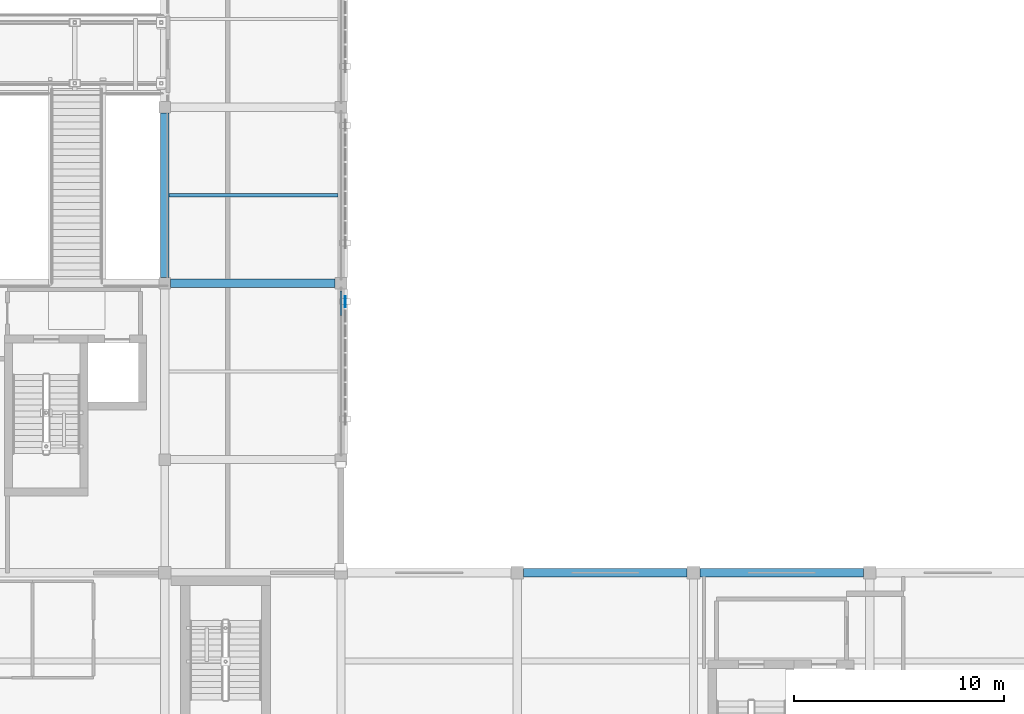
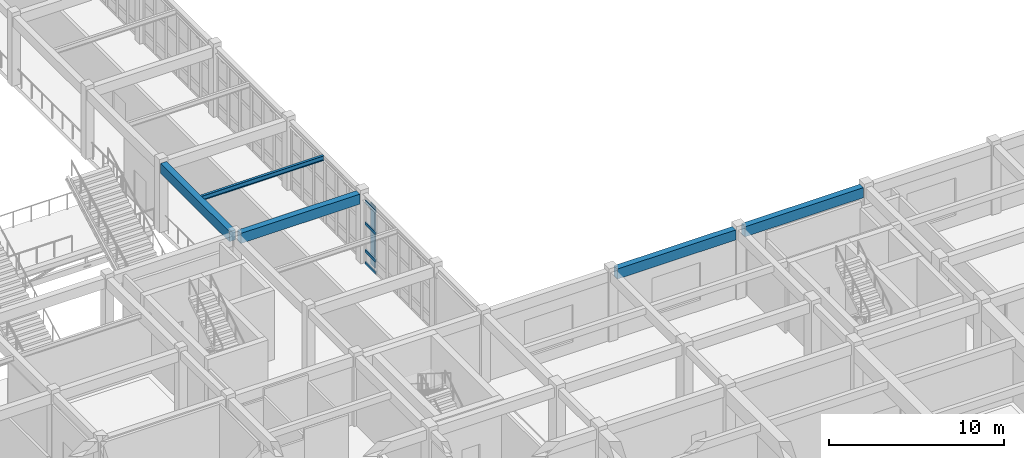
# One storey, part 21 of 93: 5 beams, 5 members, 1 element without a shape of its own.
"""IFC4 building model written with IfcOpenShell, lengths in metres."""

from ifc_helpers import new_model, si_unit, direction, frame, origin, origin_2d, place, context, subcontext, project, spatial, rectangle, hollow_rectangle, i_section, extrude, material, layer, layer_set, material_profile, profile_set, type_object, element, aggregate, save


model = new_model("IFC4")

# Units and contexts
model_context = context("Model", 3, precision=1e-05, world=origin(), true_north=direction((0.0, 1.0)))
body_context = subcontext(model_context, "Body", "Model", "MODEL_VIEW")
ifc_project = project(units=[si_unit("LENGTHUNIT", "METRE"), si_unit("AREAUNIT", "SQUARE_METRE"), si_unit("VOLUMEUNIT", "CUBIC_METRE"), si_unit("PLANEANGLEUNIT", "RADIAN"), si_unit("MASSUNIT", "GRAM", prefix="KILO")], contexts=[model_context])

# Site, building, storey
site_placement = place(None, origin())
site = spatial("IfcSite", under=ifc_project, at=site_placement, CompositionType="ELEMENT")
building_placement = place(site_placement, origin())
building = spatial("IfcBuilding", under=site, at=building_placement, Name="Krzemoval Escarpment Law Courts", CompositionType="ELEMENT")
storey_placement = place(building_placement, frame((0.0, 0.0, 10.199951171875)))
storey = spatial("IfcBuildingStorey", under=building, at=storey_placement, Name="L02", CompositionType="ELEMENT", Elevation=10.199951171875)

# Beams
ifc_material_1 = material(Name="Concrete C40/50", Category="concrete")
ifc_material_profile_1 = material_profile(ifc_material_1, rectangle(XDim=0.39990234375, YDim=0.699951171875, at=origin_2d()), Name="RCB 400x700")
ifc_profile_set_1 = profile_set([ifc_material_profile_1], Name="Concrete C40/50")
beam_type_1 = type_object("IfcBeamType", Name="BM-RC-400x700", PredefinedType="BEAM", material=ifc_profile_set_1)
beam_1_placement = place(storey_placement, frame((50.699951171875, 35.39990234375, 4.469970703125), z_axis=(1.0, 0.0, 0.0), x_axis=(0.0, 1.0, 0.0)))
element("IfcBeam", 1, at=beam_1_placement, inside=storey, type_object=beam_type_1, Name="Beam FG-L02-1773", PredefinedType="BEAM", context=body_context, shape_type="SweptSolid", body=[
    extrude(rectangle(XDim=0.39990234375, YDim=0.699951171875, at=origin_2d()), origin(), (0.0, 0.0, 1.0), 7.800048828125),
])
beam_2_placement = place(storey_placement, frame((59.10009765625, 35.39990234375, 4.469970703125), z_axis=(1.0, 0.0, 0.0), x_axis=(0.0, 1.0, 0.0)))
element("IfcBeam", 2, at=beam_2_placement, inside=storey, type_object=beam_type_1, Name="Beam FG-L02-1774", PredefinedType="BEAM", context=body_context, shape_type="SweptSolid", body=[
    extrude(rectangle(XDim=0.39990234375, YDim=0.699951171875, at=origin_2d()), origin(), (0.0, 0.0, 1.0), 7.7998046875),
])
beam_3_placement = place(storey_placement, frame((33.875, 49.199951171875, 4.469970703125), z_axis=(1.0, 0.0, 0.0), x_axis=(0.0, 1.0, 0.0)))
element("IfcBeam", 3, at=beam_3_placement, inside=storey, type_object=beam_type_1, Name="Beam FG-L02-1791", PredefinedType="BEAM", context=body_context, shape_type="SweptSolid", body=[
    extrude(rectangle(XDim=0.39990234375, YDim=0.699951171875, at=origin_2d()), origin(), (0.0, 0.0, 1.0), 7.85009765625),
])
beam_4_placement = place(storey_placement, frame((33.60009765625, 49.47509765625, 4.469970703125), z_axis=(0.0, 1.0, 0.0), x_axis=(-1.0, 0.0, 0.0)))
element("IfcBeam", 4, at=beam_4_placement, inside=storey, type_object=beam_type_1, Name="Beam FG-L02-1896", PredefinedType="BEAM", context=body_context, shape_type="SweptSolid", body=[
    extrude(rectangle(XDim=0.39990234375, YDim=0.699951171875, at=origin_2d()), origin(), (0.0, 0.0, 1.0), 7.849853515625),
])

# Curtain wall, members
ifc_material_2 = material(Name="Aluminium 6063-T6", Category="aluminium")
ifc_layer = layer(ifc_material_2, 0.280029296875)
ifc_layer_set = layer_set([ifc_layer], Name="Aluminium 6063-T6")
curtain_wall_type = type_object("IfcCurtainWallType", Name="CW-HALL-5100", PredefinedType="USERDEFINED", material=ifc_layer_set)
curtain_wall_placement = place(storey_placement, origin())
curtain_wall = element("IfcCurtainWall", 5, at=curtain_wall_placement, inside=storey, type_object=curtain_wall_type, Name="Unitised Curtain Wall FCW-L02-080", ObjectType="UNITISED_CURTAIN_WALL", PredefinedType="USERDEFINED")
ifc_material_3 = material(Name="Aluminium 6063-T6", Category="aluminium")
ifc_material_profile_2 = material_profile(ifc_material_3, hollow_rectangle(XDim=0.0849609375, YDim=0.2099609375, WallThickness=0.005615234375, at=origin_2d()), Name="ALU T85x210")
ifc_profile_set_2 = profile_set([ifc_material_profile_2], Name="Aluminium 6063-T6")
member_type_1 = type_object("IfcMemberType", Name="CWT-85x210", PredefinedType="USERDEFINED", material=ifc_profile_set_2)
member_1_placement = place(storey_placement, frame((42.0, 48.840087890625, 0.04248046875), z_axis=(0.0, -1.0, 0.0), x_axis=(1.0, 0.0, 0.0)))
member_1 = element("IfcMember", 6, at=member_1_placement, type_object=member_type_1, Name="FCW-L02-080 transom 1.1", ObjectType="TRANSOM", PredefinedType="USERDEFINED", context=body_context, shape_type="SweptSolid", body=[
    extrude(hollow_rectangle(XDim=0.0849609375, YDim=0.2099609375, WallThickness=0.005615234375, at=origin_2d()), origin(), (0.0, 0.0, 1.0), 1.180908203125),
])
member_2_placement = place(storey_placement, frame((42.0, 48.840087890625, 0.900146484375), z_axis=(0.0, -1.0, 0.0), x_axis=(1.0, 0.0, 0.0)))
member_2 = element("IfcMember", 7, at=member_2_placement, type_object=member_type_1, Name="FCW-L02-080 transom 1.2", ObjectType="TRANSOM", PredefinedType="USERDEFINED", context=body_context, shape_type="SweptSolid", body=[
    extrude(hollow_rectangle(XDim=0.0849609375, YDim=0.2099609375, WallThickness=0.005615234375, at=origin_2d()), origin(), (0.0, 0.0, 1.0), 1.180908203125),
])
member_3_placement = place(storey_placement, frame((42.0, 48.840087890625, 2.800048828125), z_axis=(0.0, -1.0, 0.0), x_axis=(1.0, 0.0, 0.0)))
member_3 = element("IfcMember", 8, at=member_3_placement, type_object=member_type_1, Name="FCW-L02-080 transom 1.3", ObjectType="TRANSOM", PredefinedType="USERDEFINED", context=body_context, shape_type="SweptSolid", body=[
    extrude(hollow_rectangle(XDim=0.0849609375, YDim=0.2099609375, WallThickness=0.005615234375, at=origin_2d()), origin(), (0.0, 0.0, 1.0), 1.180908203125),
])
member_4_placement = place(storey_placement, frame((42.0, 48.840087890625, 4.32763671875), z_axis=(0.0, -1.0, 0.0), x_axis=(1.0, 0.0, 0.0)))
member_4 = element("IfcMember", 9, at=member_4_placement, type_object=member_type_1, Name="FCW-L02-080 transom 1.4", ObjectType="TRANSOM", PredefinedType="USERDEFINED", context=body_context, shape_type="SweptSolid", body=[
    extrude(hollow_rectangle(XDim=0.0849609375, YDim=0.2099609375, WallThickness=0.005615234375, at=origin_2d()), origin(), (0.0, 0.0, 1.0), 1.180908203125),
])
aggregate(curtain_wall, [member_1, member_2, member_3, member_4])

# Beam
ifc_material_4 = material(Name="Steel S355", Category="steel")
ifc_material_profile_3 = material_profile(ifc_material_4, i_section(OverallWidth=0.159912109375, OverallDepth=0.330078125, WebThickness=0.007568359375, FlangeThickness=0.011474609375, at=origin_2d()), Name="IPE 330")
ifc_profile_set_3 = profile_set([ifc_material_profile_3], Name="Steel S355")
beam_type_2 = type_object("IfcBeamType", Name="JST-S355-IPE330", PredefinedType="JOIST", material=ifc_profile_set_3)
beam_5_placement = place(storey_placement, frame((33.800048828125, 53.39990234375, 4.655029296875), z_axis=(1.0, 0.0, 0.0), x_axis=(0.0, 1.0, 0.0)))
element("IfcBeam", 10, at=beam_5_placement, inside=storey, type_object=beam_type_2, Name="Secondary Joist FJ-L02-2026", PredefinedType="JOIST", context=body_context, shape_type="SweptSolid", body=[
    extrude(i_section(OverallWidth=0.159912109375, OverallDepth=0.330078125, WebThickness=0.007568359375, FlangeThickness=0.011474609375, at=origin_2d()), origin(), (0.0, 0.0, 1.0), 8.050048828125),
])

# Member
ifc_material_5 = material(Name="Anodised Aluminium Alloy 6063-T6", Category="aluminium")
ifc_material_profile_4 = material_profile(ifc_material_5, hollow_rectangle(XDim=0.06494140625, YDim=0.52001953125, WallThickness=0.00439453125, at=origin_2d()), Name="ALU LVR 65x520")
ifc_profile_set_4 = profile_set([ifc_material_profile_4], Name="Anodised Aluminium Alloy 6063-T6")
member_type_2 = type_object("IfcMemberType", Name="LVR-ALU-520", PredefinedType="USERDEFINED", material=ifc_profile_set_4)
member_5_placement = place(storey_placement, frame((42.199951171875, 48.324951171875, 0.06005859375), z_axis=(0.0, 0.0, 1.0), x_axis=(1.0, 0.0, 0.0)))
element("IfcMember", 11, at=member_5_placement, inside=storey, type_object=member_type_2, Name="Sunshade Louvre Fin FLV-L02-0520", ObjectType="SUNSHADE_LOUVRE", PredefinedType="USERDEFINED", context=body_context, shape_type="SweptSolid", body=[
    extrude(hollow_rectangle(XDim=0.06494140625, YDim=0.52001953125, WallThickness=0.00439453125, at=origin_2d()), origin(), (0.0, 0.0, 1.0), 4.31005859375),
])

save(model, "model.ifc")
